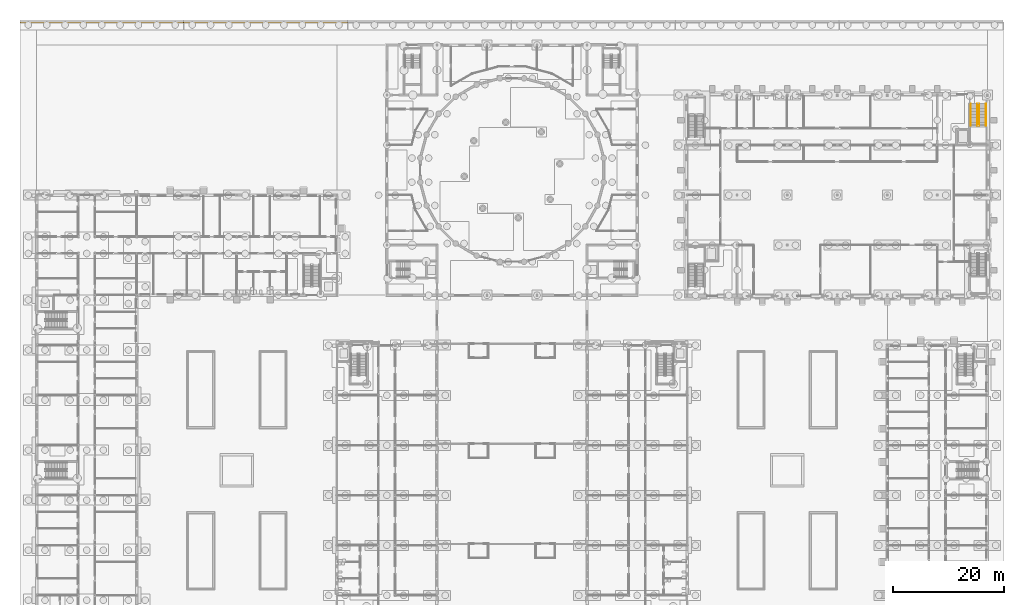
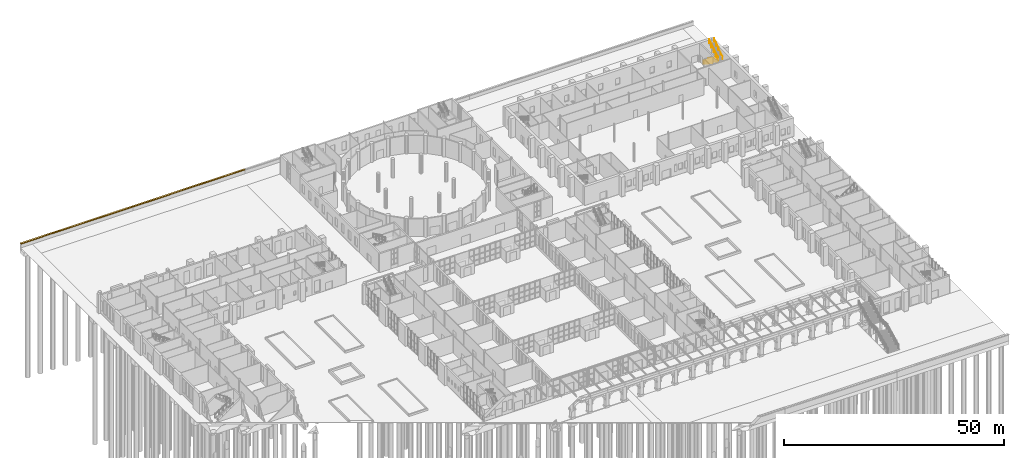
# One storey, part 159 of 168: 4 railings, 2 coverings.
"""IFC4 building model written with IfcOpenShell, lengths in metres."""

from ifc_helpers import new_model, si_unit, direction, frame, origin, origin_2d, place, context, subcontext, project, spatial, polyline, circle, outline, extrude, material, layer, layer_set, type_object, element, save


model = new_model("IFC4")

# Units and contexts
model_context = context("Model", 3, precision=1e-05, world=origin(), true_north=direction((0.0, 1.0)))
body_context = subcontext(model_context, "Body", "Model", "MODEL_VIEW")
ifc_project = project(units=[si_unit("LENGTHUNIT", "METRE"), si_unit("AREAUNIT", "SQUARE_METRE"), si_unit("VOLUMEUNIT", "CUBIC_METRE"), si_unit("PLANEANGLEUNIT", "RADIAN"), si_unit("MASSUNIT", "GRAM", prefix="KILO")], contexts=[model_context])

# Site, building, storey
site_placement = place(None, origin())
site = spatial("IfcSite", under=ifc_project, at=site_placement, CompositionType="ELEMENT")
building_placement = place(site_placement, origin())
building = spatial("IfcBuilding", under=site, at=building_placement, Name="Golden Quay Civic Hall", CompositionType="ELEMENT")
storey_placement = place(building_placement, origin())
storey = spatial("IfcBuildingStorey", under=building, at=storey_placement, Name="L00", CompositionType="ELEMENT", Elevation=0.0)

# Coverings
ifc_material_1 = material(Name="Granite", Category="masonry")
ifc_layer = layer(ifc_material_1, 0.10009765625)
ifc_layer_set = layer_set([ifc_layer], Name="Granite wall coping 500 x 100")
covering_type = type_object("IfcCoveringType", Name="Granite wall coping 500 x 100", PredefinedType="CLADDING", material=ifc_layer_set)
covering_1_placement = place(storey_placement, frame((0.0, 0.0, 1.10009765625)))
element("IfcCovering", 1, at=covering_1_placement, inside=storey, type_object=covering_type, Name="Boundary wall coping run N1", PredefinedType="CLADDING", context=body_context, shape_type="SweptSolid", body=[
    extrude(outline(polyline([(-3.0, 112.0), (26.43994140625, 112.0), (26.43994140625, 112.5), (-3.0, 112.5), (-3.0, 112.0)])), origin(), (0.0, 0.0, 1.0), 0.099853515625),
])
covering_2_placement = place(storey_placement, frame((0.0, 0.0, 1.10009765625)))
element("IfcCovering", 2, at=covering_2_placement, inside=storey, type_object=covering_type, Name="Boundary wall coping run N2", PredefinedType="CLADDING", context=body_context, shape_type="SweptSolid", body=[
    extrude(outline(polyline([(26.43994140625, 112.0), (55.919921875, 112.0), (55.919921875, 112.5), (26.43994140625, 112.5), (26.43994140625, 112.0)])), origin(), (0.0, 0.0, 1.0), 0.099853515625),
])

# Railings
ifc_material_2 = material(Name="Steel S355", Category="steel")
railing_type_1 = type_object("IfcRailingType", Name="Steel guard 1100", PredefinedType="GUARDRAIL", material=ifc_material_2)
railing_1_placement = place(storey_placement, frame((169.25, 97.449951171875, 0.179931640625)))
element("IfcRailing", 3, at=railing_1_placement, inside=storey, type_object=railing_type_1, Name="L00 LB-STE stair guard 1", PredefinedType="GUARDRAIL", context=body_context, shape_type="SweptSolid", body=[
    extrude(circle(Radius=0.02392578125, at=origin_2d()), frame((0.0, 0.0, 1.076171875), z_axis=(0.0, -0.841171666519, 0.540768182723), x_axis=(1.0, 0.0, 0.0)), (0.0, 0.0, 1.0), 4.66015625),
    extrude(circle(Radius=0.02099609375, at=origin_2d()), origin(), (0.0, 0.0, 1.0), 1.052001953125),
    extrude(circle(Radius=0.02099609375, at=origin_2d()), frame((0.0, -0.97998046875, 0.6298828125)), (0.0, 0.0, 1.0), 1.052001953125),
    extrude(circle(Radius=0.02099609375, at=origin_2d()), frame((0.0, -1.9599609375, 1.260009765625)), (0.0, 0.0, 1.0), 1.052001953125),
    extrude(circle(Radius=0.02099609375, at=origin_2d()), frame((0.0, -2.93994140625, 1.89013671875)), (0.0, 0.0, 1.0), 1.052001953125),
    extrude(circle(Radius=0.02099609375, at=origin_2d()), frame((0.0, -3.919921875, 2.52001953125)), (0.0, 0.0, 1.0), 1.052001953125),
])
railing_2_placement = place(storey_placement, frame((169.5, 93.530029296875, 2.8798828125)))
element("IfcRailing", 4, at=railing_2_placement, inside=storey, type_object=railing_type_1, Name="L00 LB-STE stair guard 3", PredefinedType="GUARDRAIL", context=body_context, shape_type="SweptSolid", body=[
    extrude(circle(Radius=0.02392578125, at=origin_2d()), frame((0.0, 0.0, 1.076171875), z_axis=(0.0, 0.841171666519, 0.540768182723), x_axis=(-1.0, 0.0, 0.0)), (0.0, 0.0, 1.0), 4.66015625),
    extrude(circle(Radius=0.02099609375, at=origin_2d()), origin(), (0.0, 0.0, 1.0), 1.052001953125),
    extrude(circle(Radius=0.02099609375, at=origin_2d()), frame((0.0, 0.97998046875, 0.6298828125)), (0.0, 0.0, 1.0), 1.052001953125),
    extrude(circle(Radius=0.02099609375, at=origin_2d()), frame((0.0, 1.9599609375, 1.260009765625)), (0.0, 0.0, 1.0), 1.052001953125),
    extrude(circle(Radius=0.02099609375, at=origin_2d()), frame((0.0, 2.93994140625, 1.89013671875)), (0.0, 0.0, 1.0), 1.052001953125),
    extrude(circle(Radius=0.02099609375, at=origin_2d()), frame((0.0, 3.919921875, 2.52001953125)), (0.0, 0.0, 1.0), 1.052001953125),
])
ifc_material_3 = material(Name="Steel S355", Category="steel")
railing_type_2 = type_object("IfcRailingType", Name="Steel handrail 900", PredefinedType="HANDRAIL", material=ifc_material_3)
railing_3_placement = place(storey_placement, frame((168.0, 97.449951171875, 0.179931640625)))
element("IfcRailing", 5, at=railing_3_placement, inside=storey, type_object=railing_type_2, Name="L00 LB-STE stair handrail 1", PredefinedType="HANDRAIL", context=body_context, shape_type="SweptSolid", body=[
    extrude(circle(Radius=0.02392578125, at=origin_2d()), frame((0.0, 0.0, 0.8759765625), z_axis=(0.0, -0.841171666519, 0.540768182723), x_axis=(1.0, 0.0, 0.0)), (0.0, 0.0, 1.0), 4.66015625),
    extrude(circle(Radius=0.02099609375, at=origin_2d()), origin(), (0.0, 0.0, 1.0), 0.851806640625),
    extrude(circle(Radius=0.02099609375, at=origin_2d()), frame((0.0, -0.97998046875, 0.6298828125)), (0.0, 0.0, 1.0), 0.851806640625),
    extrude(circle(Radius=0.02099609375, at=origin_2d()), frame((0.0, -1.9599609375, 1.260009765625)), (0.0, 0.0, 1.0), 0.851806640625),
    extrude(circle(Radius=0.02099609375, at=origin_2d()), frame((0.0, -2.93994140625, 1.89013671875)), (0.0, 0.0, 1.0), 0.851806640625),
    extrude(circle(Radius=0.02099609375, at=origin_2d()), frame((0.0, -3.919921875, 2.52001953125)), (0.0, 0.0, 1.0), 0.851806640625),
])
railing_4_placement = place(storey_placement, frame((170.75, 93.530029296875, 2.8798828125)))
element("IfcRailing", 6, at=railing_4_placement, inside=storey, type_object=railing_type_2, Name="L00 LB-STE stair handrail 2", PredefinedType="HANDRAIL", context=body_context, shape_type="SweptSolid", body=[
    extrude(circle(Radius=0.02392578125, at=origin_2d()), frame((0.0, 0.0, 0.8759765625), z_axis=(0.0, 0.841171666519, 0.540768182723), x_axis=(-1.0, 0.0, 0.0)), (0.0, 0.0, 1.0), 4.66015625),
    extrude(circle(Radius=0.02099609375, at=origin_2d()), origin(), (0.0, 0.0, 1.0), 0.851806640625),
    extrude(circle(Radius=0.02099609375, at=origin_2d()), frame((0.0, 0.97998046875, 0.6298828125)), (0.0, 0.0, 1.0), 0.851806640625),
    extrude(circle(Radius=0.02099609375, at=origin_2d()), frame((0.0, 1.9599609375, 1.260009765625)), (0.0, 0.0, 1.0), 0.851806640625),
    extrude(circle(Radius=0.02099609375, at=origin_2d()), frame((0.0, 2.93994140625, 1.89013671875)), (0.0, 0.0, 1.0), 0.851806640625),
    extrude(circle(Radius=0.02099609375, at=origin_2d()), frame((0.0, 3.919921875, 2.52001953125)), (0.0, 0.0, 1.0), 0.851806640625),
])

save(model, "model.ifc")
